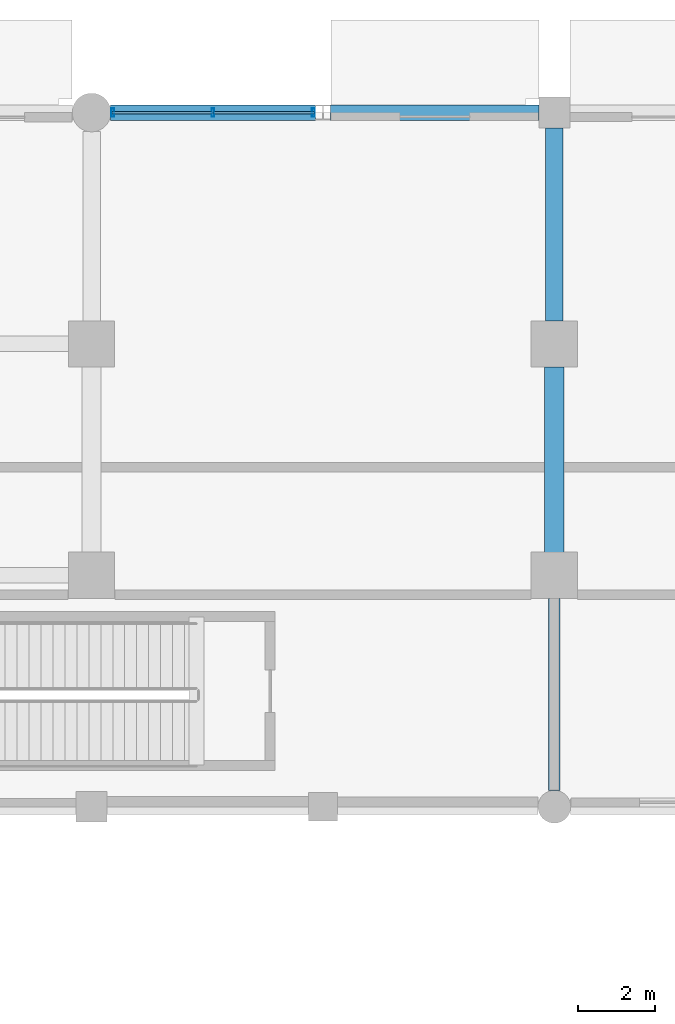
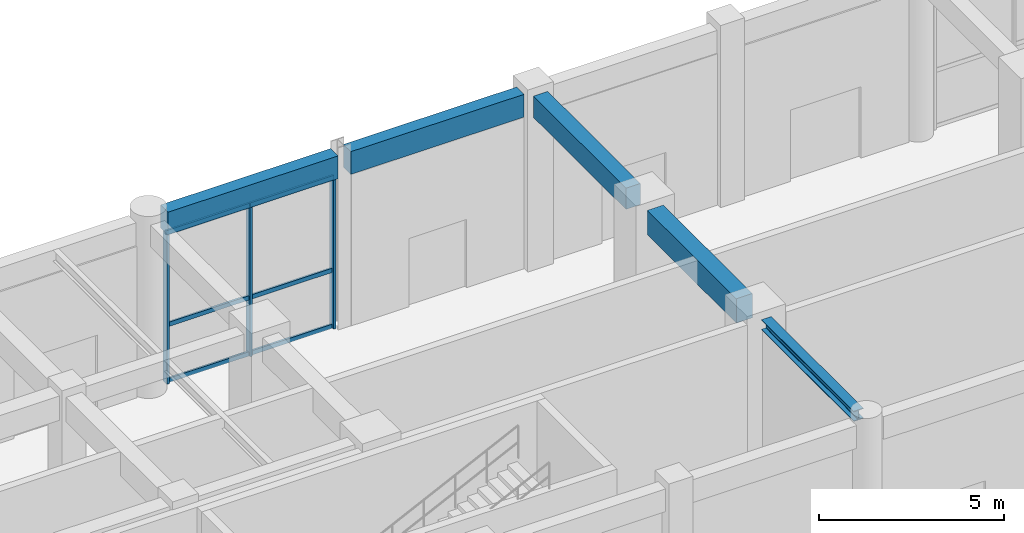
# One storey, part 43 of 106: 9 members, 5 beams, 1 element without a shape of its own.
"""IFC4 building model written with IfcOpenShell, lengths in metres."""

import ifcopenshell
import ifcopenshell.guid

model = None  # the IFC model being written
_history = None  # IfcOwnerHistory: only IFC2X3 demands one
_inside = {}  # id of a spatial element -> (the spatial element, [elements in it])
_under = {}  # id of a project, library or spatial element -> (it, [spatial elements below it])
_declared = {}  # id of a project -> (the project, [libraries it declares])
_typed = {}  # id of a type object -> (the type object, [elements of that type])
_made_of = {}  # id of a material, layer set ... -> (it, [elements and type objects made of it])


def new_model(schema):
    """Start an empty IFC model of exactly this schema.

    Asked for "IFC4X3", IfcOpenShell would pick the latest addendum, in which some entities
    have other attributes; the version numbers below select the first issue.
    IFC2X3 requires an IfcOwnerHistory on every rooted entity: one is made here for all.
    """
    global model, _history
    if schema == "IFC4X3":
        model = ifcopenshell.file(schema_version=(4, 3, 0, 0))
    else:
        model = ifcopenshell.file(schema=schema)
    _inside.clear()
    _under.clear()
    _declared.clear()
    _typed.clear()
    _made_of.clear()
    _history = None
    if model.schema == "IFC2X3":
        org = make("IfcOrganization", Name="unknown")
        user = make(
            "IfcPersonAndOrganization",
            ThePerson=make("IfcPerson", FamilyName="unknown"),
            TheOrganization=org,
        )
        app = make(
            "IfcApplication",
            ApplicationDeveloper=org,
            Version="unknown",
            ApplicationFullName="unknown",
            ApplicationIdentifier="unknown",
        )
        _history = make(
            "IfcOwnerHistory",
            OwningUser=user,
            OwningApplication=app,
            ChangeAction="ADDED",
            CreationDate=0,
        )
    return model


def make(cls, **values):
    """One entity of the class cls with the attributes given. An attribute that is None is left unset."""
    return model.create_entity(
        cls, **{name: value for name, value in values.items() if value is not None}
    )


def rooted(cls, **values):
    """An entity with a GlobalId (a new one), such as an element, a storey or a relation."""
    return make(cls, GlobalId=ifcopenshell.guid.new(), OwnerHistory=_history, **values)


def si_unit(unit_type, name, prefix=None):
    """IfcSIUnit, for example si_unit("LENGTHUNIT", "METRE", prefix="MILLI")."""
    return make("IfcSIUnit", UnitType=unit_type, Prefix=prefix, Name=name)


def assignment(units):
    """IfcUnitAssignment: the units of a project."""
    return None if units is None else make("IfcUnitAssignment", Units=units)


def point(xyz):
    """IfcCartesianPoint."""
    return None if xyz is None else make("IfcCartesianPoint", Coordinates=xyz)


def direction(xyz):
    """IfcDirection."""
    return None if xyz is None else make("IfcDirection", DirectionRatios=xyz)


def frame(location, z_axis=None, x_axis=None):
    """IfcAxis2Placement3D, a coordinate frame: its origin and axes. An axis left out is left unset."""
    return make(
        "IfcAxis2Placement3D",
        Location=point(location),
        Axis=direction(z_axis),
        RefDirection=direction(x_axis),
    )


def frame_2d(location, x_axis=None):
    """IfcAxis2Placement2D, a coordinate frame in the plane: its origin and x axis."""
    return make(
        "IfcAxis2Placement2D", Location=point(location), RefDirection=direction(x_axis)
    )


def origin():
    """The frame at (0, 0, 0) with its axes left unset."""
    return frame((0.0, 0.0, 0.0))


def origin_2d():
    """The frame at (0, 0) in the plane with its x axis left unset."""
    return frame_2d((0.0, 0.0))


def place(relative_to, where):
    """IfcLocalPlacement: puts the frame where relative to a parent placement (None: the world)."""
    return make(
        "IfcLocalPlacement", PlacementRelTo=relative_to, RelativePlacement=where
    )


def context(
    kind, dimensions, precision=None, world=None, true_north=None, identifier=None
):
    """IfcGeometricRepresentationContext, for example the 3D "Model" context."""
    return make(
        "IfcGeometricRepresentationContext",
        ContextIdentifier=identifier,
        ContextType=kind,
        CoordinateSpaceDimension=dimensions,
        Precision=precision,
        WorldCoordinateSystem=world,
        TrueNorth=true_north,
    )


def subcontext(parent, identifier, kind, view, scale=None):
    """IfcGeometricRepresentationSubContext, for example "Body" below "Model"."""
    return make(
        "IfcGeometricRepresentationSubContext",
        ContextIdentifier=identifier,
        ContextType=kind,
        ParentContext=parent,
        TargetScale=scale,
        TargetView=view,
    )


def project(units=None, contexts=None):
    """IfcProject with its units and contexts."""
    return rooted(
        "IfcProject",
        Name="project",
        RepresentationContexts=contexts,
        UnitsInContext=assignment(units),
    )


def spatial(cls, under=None, at=None, **own):
    """A site, building, storey or space (cls), placed at a placement, below another one or the project."""
    s = rooted(cls, ObjectPlacement=at, **own)
    if under is not None:
        _under.setdefault(under.id(), (under, []))[1].append(s)
    return s


def profile(cls, at=None, kind="AREA", **sizes):
    """A parametric profile (cls). Its sizes go by their IFC names, for example OverallWidth=200.0."""
    return make(cls, ProfileType=kind, Position=at, **sizes)


def rectangle(**sizes):
    """IfcRectangleProfileDef."""
    return profile("IfcRectangleProfileDef", **sizes)


def hollow_rectangle(**sizes):
    """IfcRectangleHollowProfileDef."""
    return profile("IfcRectangleHollowProfileDef", **sizes)


def i_section(**sizes):
    """IfcIShapeProfileDef."""
    return profile("IfcIShapeProfileDef", **sizes)


def extrude(swept, where, along, depth):
    """IfcExtrudedAreaSolid: the profile swept, set in the frame where, extruded along a direction by depth."""
    return make(
        "IfcExtrudedAreaSolid",
        SweptArea=swept,
        Position=where,
        ExtrudedDirection=direction(along),
        Depth=depth,
    )


def shape(context_of_items, identifier, shape_type, items):
    """IfcShapeRepresentation: the items that make up one representation, for example the "Body"."""
    return make(
        "IfcShapeRepresentation",
        ContextOfItems=context_of_items,
        RepresentationIdentifier=identifier,
        RepresentationType=shape_type,
        Items=items,
    )


def material(Name=None, Category=None):
    """IfcMaterial."""
    return make("IfcMaterial", Name=Name, Category=Category)


def material_profile(
    of_material, cross_section, Name=None, Category=None, Priority=None
):
    """IfcMaterialProfile: a cross section and its material."""
    return make(
        "IfcMaterialProfile",
        Name=Name,
        Material=of_material,
        Profile=cross_section,
        Priority=Priority,
        Category=Category,
    )


def profile_set(profiles, Name=None, composite=None):
    """IfcMaterialProfileSet."""
    return make(
        "IfcMaterialProfileSet",
        Name=Name,
        MaterialProfiles=profiles,
        CompositeProfile=composite,
    )


def made_of(thing, what):
    """Note that an element or type object is made of a material, layer set ...; save() writes the relation."""
    if what is not None:
        _made_of.setdefault(what.id(), (what, []))[1].append(thing)
    return thing


def type_object(cls, material=None, **own):
    """A type object (cls), such as IfcWallType, which elements share."""
    return made_of(rooted(cls, **own), material)


def element(
    cls,
    number,
    at=None,
    inside=None,
    cuts=None,
    type_object=None,
    material=None,
    context=None,
    identifier="Body",
    shape_type=None,
    held_by="IfcProductDefinitionShape",
    body=None,
    shapes=None,
    **own,
):
    """One element of the class cls, such as IfcWall. Its Tag is "e" and its number.

    at: its placement. inside: the storey or other place that contains it. cuts: it is an
    opening in that element (IfcRelVoidsElement). A single representation is given by context,
    identifier, shape_type and body (its items); several are given by shapes. held_by: the class
    of the entity that holds the representations. save() writes the other relations.
    """
    e = rooted(cls, Tag="e%d" % number, ObjectPlacement=at, **own)
    if body is not None:
        shapes = [shape(context, identifier, shape_type, body)]
    if shapes is not None:
        e.Representation = make(held_by, Representations=shapes)
    if inside is not None:
        _inside.setdefault(inside.id(), (inside, []))[1].append(e)
    if cuts is not None:
        rooted(
            "IfcRelVoidsElement", RelatingBuildingElement=cuts, RelatedOpeningElement=e
        )
    if type_object is not None:
        _typed.setdefault(type_object.id(), (type_object, []))[1].append(e)
    return made_of(e, material)


def aggregate(whole, parts):
    """IfcRelAggregates: a whole, such as a stair, and the parts it consists of."""
    return rooted("IfcRelAggregates", RelatingObject=whole, RelatedObjects=parts)


def save(model, path):
    """Write the relations noted so far, then the file.

    IfcRelAggregates (storeys below a building ...), IfcRelContainedInSpatialStructure (elements
    in a storey), IfcRelDefinesByType, IfcRelAssociatesMaterial and IfcRelDeclares: one each for
    every whole, place, type object, material and project.
    """
    for whole, parts in _under.values():
        aggregate(whole, parts)
    for where, things in _inside.values():
        rooted(
            "IfcRelContainedInSpatialStructure",
            RelatedElements=things,
            RelatingStructure=where,
        )
    for kind, things in _typed.values():
        rooted("IfcRelDefinesByType", RelatedObjects=things, RelatingType=kind)
    for what, things in _made_of.values():
        rooted("IfcRelAssociatesMaterial", RelatedObjects=things, RelatingMaterial=what)
    for by, libraries in _declared.values():
        rooted("IfcRelDeclares", RelatingContext=by, RelatedDefinitions=libraries)
    model.write(path)


model = new_model("IFC4")

# Units and contexts
model_context = context("Model", 3, precision=1e-05, world=origin(), true_north=direction((0.0, 1.0)))
body_context = subcontext(model_context, "Body", "Model", "MODEL_VIEW")
ifc_project = project(units=[si_unit("LENGTHUNIT", "METRE"), si_unit("AREAUNIT", "SQUARE_METRE"), si_unit("VOLUMEUNIT", "CUBIC_METRE"), si_unit("PLANEANGLEUNIT", "RADIAN"), si_unit("MASSUNIT", "GRAM", prefix="KILO"), si_unit("THERMODYNAMICTEMPERATUREUNIT", "KELVIN"), si_unit("POWERUNIT", "WATT")], contexts=[model_context])

# Site, building, storey
site_placement = place(None, origin())
site = spatial("IfcSite", under=ifc_project, at=site_placement, CompositionType="ELEMENT")
building_placement = place(site_placement, origin())
building = spatial("IfcBuilding", under=site, at=building_placement, Name="Phaisarnlok Congress Hotel", CompositionType="ELEMENT")
storey_placement = place(building_placement, origin())
storey = spatial("IfcBuildingStorey", under=building, at=storey_placement, Name="L00", CompositionType="ELEMENT", Elevation=0.0)

# Beams
ifc_material_1 = material(Name="Concrete C40/50", Category="concrete")
ifc_material_profile_1 = material_profile(ifc_material_1, rectangle(XDim=0.449951171875, YDim=0.699951171875, at=origin_2d()), Name="RC 450x700")
ifc_profile_set_1 = profile_set([ifc_material_profile_1], Name="Concrete C40/50")
beam_type_1 = type_object("IfcBeamType", Name="BM-RC-450x700", PredefinedType="BEAM", material=ifc_profile_set_1)
beam_1_placement = place(storey_placement, frame((84.0, 120.594970703125, 5.389892578125), z_axis=(0.0, 1.0, 0.0), x_axis=(-1.0, 0.0, 0.0)))
element("IfcBeam", 1, at=beam_1_placement, inside=storey, type_object=beam_type_1, Name="Beam B-03", PredefinedType="BEAM", context=body_context, shape_type="SweptSolid", body=[
    extrude(rectangle(XDim=0.449951171875, YDim=0.699951171875, at=origin_2d()), origin(), (0.0, 0.0, 1.0), 5.010009765625),
])
ifc_material_profile_2 = material_profile(ifc_material_1, rectangle(XDim=0.5, YDim=0.800048828125, at=origin_2d()), Name="RC 500x800")
ifc_profile_set_2 = profile_set([ifc_material_profile_2], Name="Concrete C40/50")
beam_type_2 = type_object("IfcBeamType", Name="BM-RC-500x800", PredefinedType="BEAM", material=ifc_profile_set_2)
beam_2_placement = place(storey_placement, frame((84.0, 114.594970703125, 5.340087890625), z_axis=(0.0, 1.0, 0.0), x_axis=(-1.0, 0.0, 0.0)))
element("IfcBeam", 2, at=beam_2_placement, inside=storey, type_object=beam_type_2, Name="Beam B-04", PredefinedType="BEAM", context=body_context, shape_type="SweptSolid", body=[
    extrude(rectangle(XDim=0.5, YDim=0.800048828125, at=origin_2d()), origin(), (0.0, 0.0, 1.0), 4.81005859375),
])
ifc_material_2 = material(Name="Steel S355", Category="steel")
ifc_material_profile_3 = material_profile(ifc_material_2, i_section(OverallWidth=0.300048828125, OverallDepth=0.340087890625, WebThickness=0.011962890625, FlangeThickness=0.021484375, FilletRadius=0.027099609375, at=origin_2d()), Name="HEB 340")
ifc_profile_set_3 = profile_set([ifc_material_profile_3], Name="Steel S355")
beam_type_3 = type_object("IfcBeamType", Name="BM-STL-HEB340", PredefinedType="BEAM", material=ifc_profile_set_3)
beam_3_placement = place(storey_placement, frame((84.0, 108.419921875, 5.570068359375), z_axis=(0.0, 1.0, 0.0), x_axis=(-1.0, 0.0, 0.0)))
element("IfcBeam", 3, at=beam_3_placement, inside=storey, type_object=beam_type_3, Name="Beam SB-07", PredefinedType="BEAM", context=body_context, shape_type="SweptSolid", body=[
    extrude(i_section(OverallWidth=0.300048828125, OverallDepth=0.340087890625, WebThickness=0.011962890625, FlangeThickness=0.021484375, FilletRadius=0.027099609375, at=origin_2d()), origin(), (0.0, 0.0, 1.0), 4.985107421875),
])

# Curtain wall, members
ifc_material_3 = material(Name="Thermally Broken Unitised Aluminium & Low-E Glazing", Category="aluminium")
curtain_wall_type = type_object("IfcCurtainWallType", Name="CW-UNIT-05", PredefinedType="NOTDEFINED", material=ifc_material_3)
curtain_wall_placement = place(storey_placement, origin())
curtain_wall = element("IfcCurtainWall", 4, at=curtain_wall_placement, inside=storey, type_object=curtain_wall_type, Name="Unitised curtain wall CW-05 (L00)", PredefinedType="NOTDEFINED")
ifc_material_4 = material(Name="Anodised Aluminium Alloy 6063-T6", Category="aluminium")
ifc_material_profile_4 = material_profile(ifc_material_4, hollow_rectangle(XDim=0.074951171875, YDim=0.219970703125, WallThickness=0.0048828125, at=origin_2d()), Name="ALU-M 75x220x5")
ifc_profile_set_4 = profile_set([ifc_material_profile_4], Name="Anodised Aluminium Alloy 6063-T6")
member_type_1 = type_object("IfcMemberType", Name="CWM-220", PredefinedType="MULLION", material=ifc_profile_set_4)
member_1_placement = place(storey_placement, frame((77.74951171875, 126.0, 0.0), z_axis=(0.0, 0.0, 1.0), x_axis=(-1.0, 0.0, 0.0)))
member_1 = element("IfcMember", 5, at=member_1_placement, type_object=member_type_1, Name="Curtain wall mullion CWM-02", PredefinedType="MULLION", context=body_context, shape_type="SweptSolid", body=[
    extrude(hollow_rectangle(XDim=0.074951171875, YDim=0.219970703125, WallThickness=0.0048828125, at=origin_2d()), origin(), (0.0, 0.0, 1.0), 4.989990234375),
])
member_2_placement = place(storey_placement, frame((75.149658203125, 126.0, 0.0), z_axis=(0.0, 0.0, 1.0), x_axis=(-1.0, 0.0, 0.0)))
member_2 = element("IfcMember", 6, at=member_2_placement, type_object=member_type_1, Name="Curtain wall mullion CWM-02", PredefinedType="MULLION", context=body_context, shape_type="SweptSolid", body=[
    extrude(hollow_rectangle(XDim=0.074951171875, YDim=0.219970703125, WallThickness=0.0048828125, at=origin_2d()), origin(), (0.0, 0.0, 1.0), 4.989990234375),
])
member_3_placement = place(storey_placement, frame((72.550048828125, 126.0, 0.0), z_axis=(0.0, 0.0, 1.0), x_axis=(-1.0, 0.0, 0.0)))
member_3 = element("IfcMember", 7, at=member_3_placement, type_object=member_type_1, Name="Curtain wall mullion CWM-02", PredefinedType="MULLION", context=body_context, shape_type="SweptSolid", body=[
    extrude(hollow_rectangle(XDim=0.074951171875, YDim=0.219970703125, WallThickness=0.0048828125, at=origin_2d()), origin(), (0.0, 0.0, 1.0), 4.989990234375),
])
ifc_material_profile_5 = material_profile(ifc_material_4, hollow_rectangle(XDim=0.06494140625, YDim=0.139892578125, WallThickness=0.00390625, at=origin_2d()), Name="ALU-T 65x140x4")
ifc_profile_set_5 = profile_set([ifc_material_profile_5], Name="Anodised Aluminium Alloy 6063-T6")
member_type_2 = type_object("IfcMemberType", Name="CWT-150", PredefinedType="USERDEFINED", material=ifc_profile_set_5)
member_4_placement = place(storey_placement, frame((77.7744140625, 126.0, 0.050048828125), z_axis=(-1.0, 0.0, 0.0), x_axis=(0.0, -1.0, 0.0)))
member_4 = element("IfcMember", 8, at=member_4_placement, type_object=member_type_2, Name="Curtain wall transom CWT-01", ObjectType="TRANSOM", PredefinedType="USERDEFINED", context=body_context, shape_type="SweptSolid", body=[
    extrude(hollow_rectangle(XDim=0.06494140625, YDim=0.139892578125, WallThickness=0.00390625, at=origin_2d()), origin(), (0.0, 0.0, 1.0), 2.609619140625),
])
member_5_placement = place(storey_placement, frame((77.7744140625, 126.0, 1.896240234375), z_axis=(-1.0, 0.0, 0.0), x_axis=(0.0, -1.0, 0.0)))
member_5 = element("IfcMember", 9, at=member_5_placement, type_object=member_type_2, Name="Curtain wall transom CWT-01", ObjectType="TRANSOM", PredefinedType="USERDEFINED", context=body_context, shape_type="SweptSolid", body=[
    extrude(hollow_rectangle(XDim=0.06494140625, YDim=0.139892578125, WallThickness=0.00390625, at=origin_2d()), origin(), (0.0, 0.0, 1.0), 2.609619140625),
])
member_6_placement = place(storey_placement, frame((77.7744140625, 126.0, 4.93994140625), z_axis=(-1.0, 0.0, 0.0), x_axis=(0.0, -1.0, 0.0)))
member_6 = element("IfcMember", 10, at=member_6_placement, type_object=member_type_2, Name="Curtain wall transom CWT-01", ObjectType="TRANSOM", PredefinedType="USERDEFINED", context=body_context, shape_type="SweptSolid", body=[
    extrude(hollow_rectangle(XDim=0.06494140625, YDim=0.139892578125, WallThickness=0.00390625, at=origin_2d()), origin(), (0.0, 0.0, 1.0), 2.609619140625),
])
member_7_placement = place(storey_placement, frame((75.134765625, 126.0, 0.050048828125), z_axis=(-1.0, 0.0, 0.0), x_axis=(0.0, -1.0, 0.0)))
member_7 = element("IfcMember", 11, at=member_7_placement, type_object=member_type_2, Name="Curtain wall transom CWT-01", ObjectType="TRANSOM", PredefinedType="USERDEFINED", context=body_context, shape_type="SweptSolid", body=[
    extrude(hollow_rectangle(XDim=0.06494140625, YDim=0.139892578125, WallThickness=0.00390625, at=origin_2d()), origin(), (0.0, 0.0, 1.0), 2.60986328125),
])
member_8_placement = place(storey_placement, frame((75.134765625, 126.0, 1.896240234375), z_axis=(-1.0, 0.0, 0.0), x_axis=(0.0, -1.0, 0.0)))
member_8 = element("IfcMember", 12, at=member_8_placement, type_object=member_type_2, Name="Curtain wall transom CWT-01", ObjectType="TRANSOM", PredefinedType="USERDEFINED", context=body_context, shape_type="SweptSolid", body=[
    extrude(hollow_rectangle(XDim=0.06494140625, YDim=0.139892578125, WallThickness=0.00390625, at=origin_2d()), origin(), (0.0, 0.0, 1.0), 2.60986328125),
])
member_9_placement = place(storey_placement, frame((75.134765625, 126.0, 4.93994140625), z_axis=(-1.0, 0.0, 0.0), x_axis=(0.0, -1.0, 0.0)))
member_9 = element("IfcMember", 13, at=member_9_placement, type_object=member_type_2, Name="Curtain wall transom CWT-01", ObjectType="TRANSOM", PredefinedType="USERDEFINED", context=body_context, shape_type="SweptSolid", body=[
    extrude(hollow_rectangle(XDim=0.06494140625, YDim=0.139892578125, WallThickness=0.00390625, at=origin_2d()), origin(), (0.0, 0.0, 1.0), 2.60986328125),
])
aggregate(curtain_wall, [member_1, member_2, member_3, member_4, member_5, member_6, member_7, member_8, member_9])

# Beams
ifc_material_profile_6 = material_profile(ifc_material_1, rectangle(XDim=0.39990234375, YDim=0.75, at=origin_2d()), Name="RC 400x750")
ifc_profile_set_6 = profile_set([ifc_material_profile_6], Name="Concrete C40/50")
beam_type_4 = type_object("IfcBeamType", Name="SP-RC-400x750", PredefinedType="SPANDREL", material=ifc_profile_set_6)
beam_4_placement = place(storey_placement, frame((72.4951171875, 126.0, 5.364990234375), z_axis=(1.0, 0.0, 0.0), x_axis=(0.0, 1.0, 0.0)))
element("IfcBeam", 14, at=beam_4_placement, inside=storey, type_object=beam_type_4, Name="Beam SP-02", PredefinedType="SPANDREL", context=body_context, shape_type="SweptSolid", body=[
    extrude(rectangle(XDim=0.39990234375, YDim=0.75, at=origin_2d()), origin(), (0.0, 0.0, 1.0), 5.309326171875),
])
beam_5_placement = place(storey_placement, frame((78.195556640625, 126.0, 5.364990234375), z_axis=(1.0, 0.0, 0.0), x_axis=(0.0, 1.0, 0.0)))
element("IfcBeam", 15, at=beam_5_placement, inside=storey, type_object=beam_type_4, Name="Beam SP-02", PredefinedType="SPANDREL", context=body_context, shape_type="SweptSolid", body=[
    extrude(rectangle(XDim=0.39990234375, YDim=0.75, at=origin_2d()), origin(), (0.0, 0.0, 1.0), 5.409423828125),
])

save(model, "model.ifc")
